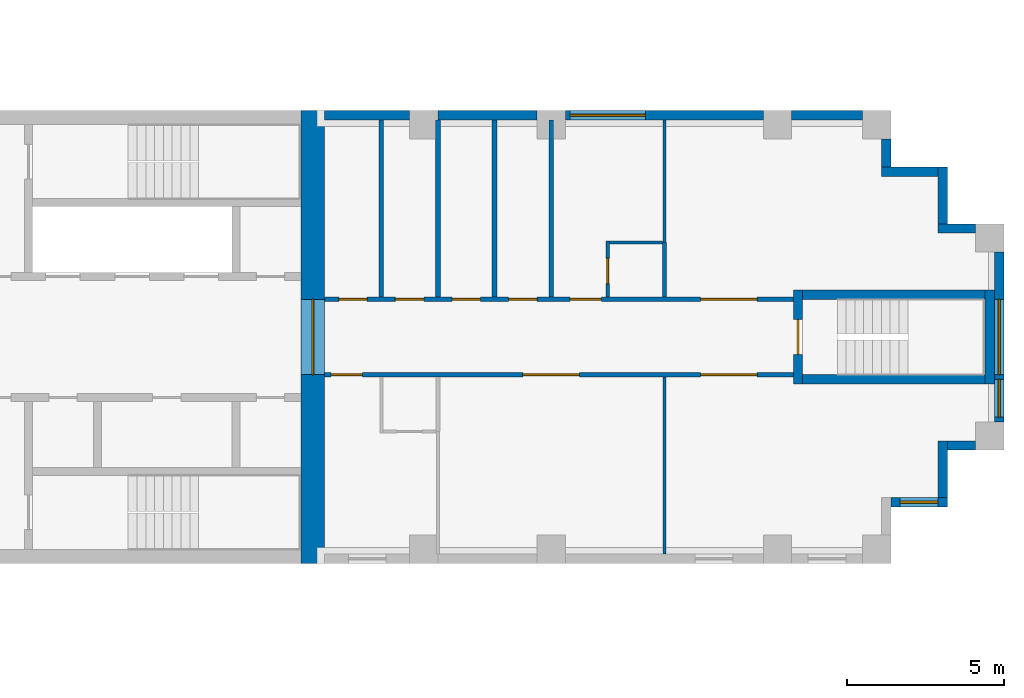
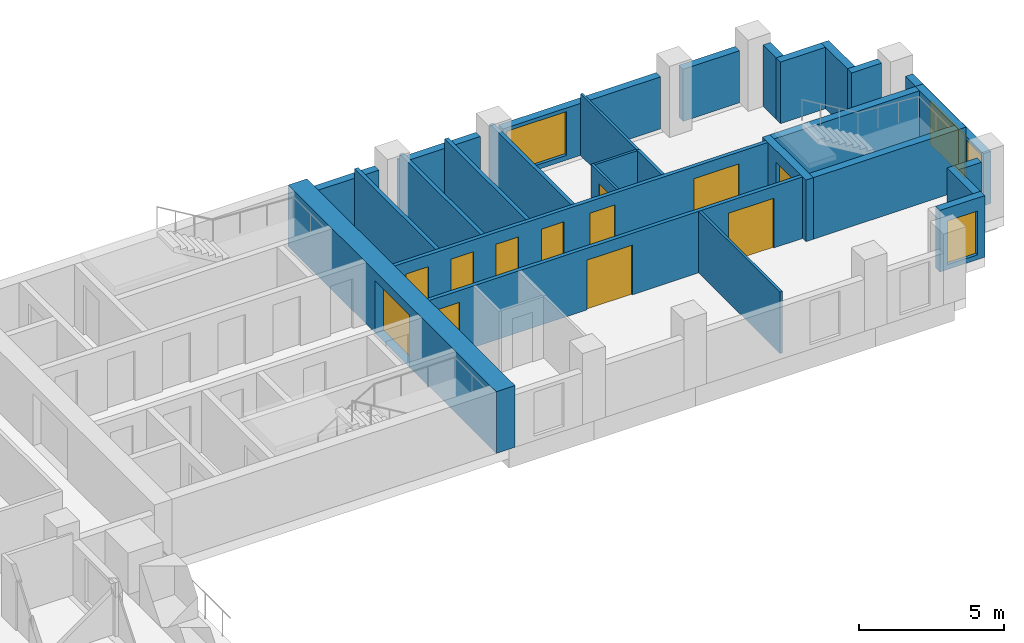
# One storey, part 9 of 12: 28 walls, 12 doors, 4 windows, 16 openings.
"""IFC4 building model written with IfcOpenShell, lengths in metres."""

from ifc_helpers import new_model, si_unit, direction, frame, frame_2d, origin, place, context, subcontext, project, spatial, rectangle, extrude, material, layer, layer_set, type_object, element, fill, save


model = new_model("IFC4")

# Units and contexts
model_context = context("Model", 3, precision=1e-05, world=origin(), true_north=direction((0.0, 1.0)))
body_context = subcontext(model_context, "Body", "Model", "MODEL_VIEW")
ifc_project = project(units=[si_unit("LENGTHUNIT", "METRE"), si_unit("AREAUNIT", "SQUARE_METRE"), si_unit("VOLUMEUNIT", "CUBIC_METRE"), si_unit("PLANEANGLEUNIT", "RADIAN"), si_unit("MASSUNIT", "GRAM", prefix="KILO")], contexts=[model_context])

# Site, building, storey
site_placement = place(None, origin())
site = spatial("IfcSite", under=ifc_project, at=site_placement, CompositionType="ELEMENT")
building_placement = place(site_placement, origin())
building = spatial("IfcBuilding", under=site, at=building_placement, Name="Fustian Cross Tower", CompositionType="ELEMENT")
storey_placement = place(building_placement, frame((0.0, 0.0, 147.300048828125)))
storey = spatial("IfcBuildingStorey", under=building, at=storey_placement, Name="L46", CompositionType="ELEMENT", Elevation=147.300048828125)

# Wall, openings, doors
ifc_material_1 = material(Name="Plasterboard on steel stud", Category="steel")
ifc_layer_1 = layer(ifc_material_1, 0.14990234375)
ifc_layer_set_1 = layer_set([ifc_layer_1], Name="Plasterboard on steel stud")
wall_type_1 = type_object("IfcWallType", Name="COMPARTMENT WALL 150 EI 60", PredefinedType="PARTITIONING", material=ifc_layer_set_1)
wall_1_placement = place(storey_placement, frame((21.60009765625, -1.199951171875, 0.0), z_axis=(0.0, 0.0, 1.0), x_axis=(1.0, 0.0, 0.0)))
wall_1 = element("IfcWall", 1, at=wall_1_placement, inside=storey, type_object=wall_type_1, Name="Partition 55", PredefinedType="PARTITIONING", context=body_context, shape_type="SweptSolid", body=[
    extrude(rectangle(XDim=14.89990234375, YDim=0.14990234375, at=frame_2d((7.449951171875, 0.0))), origin(), (0.0, 0.0, 1.0), 2.599853515625),
])
opening_1_placement = place(wall_1_placement, frame((0.199951171875, 0.0, 0.0)))
opening_1 = element("IfcOpeningElement", 2, at=opening_1_placement, cuts=wall_1, Name="Opening D21014", PredefinedType="OPENING", context=body_context, shape_type="SweptSolid", body=[
    extrude(rectangle(XDim=1.0, YDim=2.10009765625, at=frame_2d((0.5, 1.050048828125))), frame((0.0, 0.0849609375, 0.0), z_axis=(0.0, -1.0, 0.0), x_axis=(1.0, 0.0, 0.0)), (0.0, 0.0, 1.0), 0.169921875),
])
opening_2_placement = place(wall_1_placement, frame((6.300048828125, 0.0, 0.0)))
opening_2 = element("IfcOpeningElement", 3, at=opening_2_placement, cuts=wall_1, Name="Opening D21015", PredefinedType="OPENING", context=body_context, shape_type="SweptSolid", body=[
    extrude(rectangle(XDim=1.800048828125, YDim=2.10009765625, at=frame_2d((0.89990234375, 1.050048828125))), frame((0.0, 0.0849609375, 0.0), z_axis=(0.0, -1.0, 0.0), x_axis=(1.0, 0.0, 0.0)), (0.0, 0.0, 1.0), 0.169921875),
])
opening_3_placement = place(wall_1_placement, frame((11.949951171875, 0.0, 0.0)))
opening_3 = element("IfcOpeningElement", 4, at=opening_3_placement, cuts=wall_1, Name="Opening D21016", PredefinedType="OPENING", context=body_context, shape_type="SweptSolid", body=[
    extrude(rectangle(XDim=1.800048828125, YDim=2.10009765625, at=frame_2d((0.89990234375, 1.050048828125))), frame((0.0, 0.0849609375, 0.0), z_axis=(0.0, -1.0, 0.0), x_axis=(1.0, 0.0, 0.0)), (0.0, 0.0, 1.0), 0.169921875),
])
ifc_material_2 = material(Name="Timber fire door set", Category="wood")
door_type_1 = type_object("IfcDoorType", Name="FIRE DOUBLE DOOR 1800 FD30S", OperationType="DOUBLE_DOOR_DOUBLE_SWING", PredefinedType="DOOR", material=ifc_material_2)
door_1_placement = place(opening_2_placement, origin())
door_1 = element("IfcDoor", 5, at=door_1_placement, inside=storey, type_object=door_type_1, Name="Door D21015", OperationType="DOUBLE_DOOR_DOUBLE_SWING", OverallHeight=2.10009765625, OverallWidth=1.800048828125, PredefinedType="DOOR", context=body_context, shape_type="SweptSolid", body=[
    extrude(rectangle(XDim=1.800048828125, YDim=2.10009765625, at=frame_2d((0.89990234375, 1.050048828125))), frame((0.0, 0.02490234375, 0.0), z_axis=(0.0, -1.0, 0.0), x_axis=(1.0, 0.0, 0.0)), (0.0, 0.0, 1.0), 0.050048828125),
])
fill(opening_2, door_1)
door_2_placement = place(opening_3_placement, origin())
door_2 = element("IfcDoor", 6, at=door_2_placement, inside=storey, type_object=door_type_1, Name="Door D21016", OperationType="DOUBLE_DOOR_DOUBLE_SWING", OverallHeight=2.10009765625, OverallWidth=1.800048828125, PredefinedType="DOOR", context=body_context, shape_type="SweptSolid", body=[
    extrude(rectangle(XDim=1.800048828125, YDim=2.10009765625, at=frame_2d((0.89990234375, 1.050048828125))), frame((0.0, 0.02490234375, 0.0), z_axis=(0.0, -1.0, 0.0), x_axis=(1.0, 0.0, 0.0)), (0.0, 0.0, 1.0), 0.050048828125),
])
fill(opening_3, door_2)
ifc_material_3 = material(Name="Timber fire door set", Category="wood")
door_type_2 = type_object("IfcDoorType", Name="FIRE SWING DOOR 1000 FD30S", OperationType="SINGLE_SWING_LEFT", PredefinedType="DOOR", material=ifc_material_3)
door_3_placement = place(opening_1_placement, frame((1.0, 0.0, 0.0), z_axis=(0.0, 0.0, 1.0), x_axis=(-1.0, 0.0, 0.0)))
door_3 = element("IfcDoor", 7, at=door_3_placement, inside=storey, type_object=door_type_2, Name="Door D21014", OperationType="SINGLE_SWING_RIGHT", OverallHeight=2.10009765625, OverallWidth=1.0, PredefinedType="DOOR", context=body_context, shape_type="SweptSolid", body=[
    extrude(rectangle(XDim=1.0, YDim=2.10009765625, at=frame_2d((0.5, 1.050048828125))), frame((0.0, 0.02490234375, 0.0), z_axis=(0.0, -1.0, 0.0), x_axis=(1.0, 0.0, 0.0)), (0.0, 0.0, 1.0), 0.050048828125),
])
fill(opening_1, door_3)

wall_2_placement = place(storey_placement, frame((21.60009765625, 1.199951171875, 0.0), z_axis=(0.0, 0.0, 1.0), x_axis=(1.0, 0.0, 0.0)))
wall_2 = element("IfcWall", 8, at=wall_2_placement, inside=storey, type_object=wall_type_1, Name="Partition 56", PredefinedType="PARTITIONING", context=body_context, shape_type="SweptSolid", body=[
    extrude(rectangle(XDim=14.89990234375, YDim=0.14990234375, at=frame_2d((7.449951171875, 0.0))), origin(), (0.0, 0.0, 1.0), 2.599853515625),
])
opening_4_placement = place(wall_2_placement, frame((0.449951171875, 0.0, 0.0)))
opening_4 = element("IfcOpeningElement", 9, at=opening_4_placement, cuts=wall_2, Name="Opening D21006", PredefinedType="OPENING", context=body_context, shape_type="SweptSolid", body=[
    extrude(rectangle(XDim=0.89990234375, YDim=2.10009765625, at=frame_2d((0.449951171875, 1.050048828125))), frame((0.0, 0.0849609375, 0.0), z_axis=(0.0, -1.0, 0.0), x_axis=(1.0, 0.0, 0.0)), (0.0, 0.0, 1.0), 0.169921875),
])
opening_5_placement = place(wall_2_placement, frame((2.25, 0.0, 0.0)))
opening_5 = element("IfcOpeningElement", 10, at=opening_5_placement, cuts=wall_2, Name="Opening D21007", PredefinedType="OPENING", context=body_context, shape_type="SweptSolid", body=[
    extrude(rectangle(XDim=0.89990234375, YDim=2.10009765625, at=frame_2d((0.449951171875, 1.050048828125))), frame((0.0, 0.0849609375, 0.0), z_axis=(0.0, -1.0, 0.0), x_axis=(1.0, 0.0, 0.0)), (0.0, 0.0, 1.0), 0.169921875),
])
opening_6_placement = place(wall_2_placement, frame((4.050048828125, 0.0, 0.0)))
opening_6 = element("IfcOpeningElement", 11, at=opening_6_placement, cuts=wall_2, Name="Opening D21008", PredefinedType="OPENING", context=body_context, shape_type="SweptSolid", body=[
    extrude(rectangle(XDim=0.89990234375, YDim=2.10009765625, at=frame_2d((0.449951171875, 1.050048828125))), frame((0.0, 0.0849609375, 0.0), z_axis=(0.0, -1.0, 0.0), x_axis=(1.0, 0.0, 0.0)), (0.0, 0.0, 1.0), 0.169921875),
])
opening_7_placement = place(wall_2_placement, frame((5.85009765625, 0.0, 0.0)))
opening_7 = element("IfcOpeningElement", 12, at=opening_7_placement, cuts=wall_2, Name="Opening D21009", PredefinedType="OPENING", context=body_context, shape_type="SweptSolid", body=[
    extrude(rectangle(XDim=0.89990234375, YDim=2.10009765625, at=frame_2d((0.449951171875, 1.050048828125))), frame((0.0, 0.0849609375, 0.0), z_axis=(0.0, -1.0, 0.0), x_axis=(1.0, 0.0, 0.0)), (0.0, 0.0, 1.0), 0.169921875),
])
opening_8_placement = place(wall_2_placement, frame((7.800048828125, 0.0, 0.0)))
opening_8 = element("IfcOpeningElement", 13, at=opening_8_placement, cuts=wall_2, Name="Opening D21011", PredefinedType="OPENING", context=body_context, shape_type="SweptSolid", body=[
    extrude(rectangle(XDim=1.0, YDim=2.10009765625, at=frame_2d((0.5, 1.050048828125))), frame((0.0, 0.0849609375, 0.0), z_axis=(0.0, -1.0, 0.0), x_axis=(1.0, 0.0, 0.0)), (0.0, 0.0, 1.0), 0.169921875),
])
opening_9_placement = place(wall_2_placement, frame((11.949951171875, 0.0, 0.0)))
opening_9 = element("IfcOpeningElement", 14, at=opening_9_placement, cuts=wall_2, Name="Opening D21012", PredefinedType="OPENING", context=body_context, shape_type="SweptSolid", body=[
    extrude(rectangle(XDim=1.800048828125, YDim=2.10009765625, at=frame_2d((0.89990234375, 1.050048828125))), frame((0.0, 0.0849609375, 0.0), z_axis=(0.0, -1.0, 0.0), x_axis=(1.0, 0.0, 0.0)), (0.0, 0.0, 1.0), 0.169921875),
])
door_4_placement = place(opening_9_placement, frame((1.800048828125, 0.0, 0.0), z_axis=(0.0, 0.0, 1.0), x_axis=(-1.0, 0.0, 0.0)))
door_4 = element("IfcDoor", 15, at=door_4_placement, inside=storey, type_object=door_type_1, Name="Door D21012", OperationType="DOUBLE_DOOR_DOUBLE_SWING", OverallHeight=2.10009765625, OverallWidth=1.800048828125, PredefinedType="DOOR", context=body_context, shape_type="SweptSolid", body=[
    extrude(rectangle(XDim=1.800048828125, YDim=2.10009765625, at=frame_2d((0.89990234375, 1.050048828125))), frame((0.0, 0.02490234375, 0.0), z_axis=(0.0, -1.0, 0.0), x_axis=(1.0, 0.0, 0.0)), (0.0, 0.0, 1.0), 0.050048828125),
])
fill(opening_9, door_4)
door_5_placement = place(opening_8_placement, origin())
door_5 = element("IfcDoor", 16, at=door_5_placement, inside=storey, type_object=door_type_2, Name="Door D21011", OperationType="SINGLE_SWING_RIGHT", OverallHeight=2.10009765625, OverallWidth=1.0, PredefinedType="DOOR", context=body_context, shape_type="SweptSolid", body=[
    extrude(rectangle(XDim=1.0, YDim=2.10009765625, at=frame_2d((0.5, 1.050048828125))), frame((0.0, 0.02490234375, 0.0), z_axis=(0.0, -1.0, 0.0), x_axis=(1.0, 0.0, 0.0)), (0.0, 0.0, 1.0), 0.050048828125),
])
fill(opening_8, door_5)
ifc_material_4 = material(Name="Timber fire door set", Category="wood")
door_type_3 = type_object("IfcDoorType", Name="FIRE SWING DOOR 900 FD30S", OperationType="SINGLE_SWING_LEFT", PredefinedType="DOOR", material=ifc_material_4)
door_6_placement = place(opening_4_placement, origin())
door_6 = element("IfcDoor", 17, at=door_6_placement, inside=storey, type_object=door_type_3, Name="Door D21006", OperationType="SINGLE_SWING_RIGHT", OverallHeight=2.10009765625, OverallWidth=0.89990234375, PredefinedType="DOOR", context=body_context, shape_type="SweptSolid", body=[
    extrude(rectangle(XDim=0.89990234375, YDim=2.10009765625, at=frame_2d((0.449951171875, 1.050048828125))), frame((0.0, 0.02490234375, 0.0), z_axis=(0.0, -1.0, 0.0), x_axis=(1.0, 0.0, 0.0)), (0.0, 0.0, 1.0), 0.050048828125),
])
fill(opening_4, door_6)
door_7_placement = place(opening_5_placement, frame((0.89990234375, 0.0, 0.0), z_axis=(0.0, 0.0, 1.0), x_axis=(-1.0, 0.0, 0.0)))
door_7 = element("IfcDoor", 18, at=door_7_placement, inside=storey, type_object=door_type_3, Name="Door D21007", OperationType="SINGLE_SWING_RIGHT", OverallHeight=2.10009765625, OverallWidth=0.89990234375, PredefinedType="DOOR", context=body_context, shape_type="SweptSolid", body=[
    extrude(rectangle(XDim=0.89990234375, YDim=2.10009765625, at=frame_2d((0.449951171875, 1.050048828125))), frame((0.0, 0.02490234375, 0.0), z_axis=(0.0, -1.0, 0.0), x_axis=(1.0, 0.0, 0.0)), (0.0, 0.0, 1.0), 0.050048828125),
])
fill(opening_5, door_7)
door_8_placement = place(opening_6_placement, frame((0.89990234375, 0.0, 0.0), z_axis=(0.0, 0.0, 1.0), x_axis=(-1.0, 0.0, 0.0)))
door_8 = element("IfcDoor", 19, at=door_8_placement, inside=storey, type_object=door_type_3, Name="Door D21008", OperationType="SINGLE_SWING_RIGHT", OverallHeight=2.10009765625, OverallWidth=0.89990234375, PredefinedType="DOOR", context=body_context, shape_type="SweptSolid", body=[
    extrude(rectangle(XDim=0.89990234375, YDim=2.10009765625, at=frame_2d((0.449951171875, 1.050048828125))), frame((0.0, 0.02490234375, 0.0), z_axis=(0.0, -1.0, 0.0), x_axis=(1.0, 0.0, 0.0)), (0.0, 0.0, 1.0), 0.050048828125),
])
fill(opening_6, door_8)
door_9_placement = place(opening_7_placement, origin())
door_9 = element("IfcDoor", 20, at=door_9_placement, inside=storey, type_object=door_type_3, Name="Door D21009", OperationType="SINGLE_SWING_RIGHT", OverallHeight=2.10009765625, OverallWidth=0.89990234375, PredefinedType="DOOR", context=body_context, shape_type="SweptSolid", body=[
    extrude(rectangle(XDim=0.89990234375, YDim=2.10009765625, at=frame_2d((0.449951171875, 1.050048828125))), frame((0.0, 0.02490234375, 0.0), z_axis=(0.0, -1.0, 0.0), x_axis=(1.0, 0.0, 0.0)), (0.0, 0.0, 1.0), 0.050048828125),
])
fill(opening_7, door_9)

# Walls
for number, where, z_axis, x_axis, name in (
    (21, (23.39990234375, 1.27490234375, 0.0), (0.0, 0.0, 1.0), (0.0, 1.0, 0.0), "Partition 59"),
    (22, (25.199951171875, 1.27490234375, 0.0), (0.0, 0.0, 1.0), (0.0, 1.0, 0.0), "Partition 62"),
    (23, (27.0, 1.27490234375, 0.0), (0.0, 0.0, 1.0), (0.0, 1.0, 0.0), "Partition 63"),
    (24, (28.800048828125, 1.27490234375, 0.0), (0.0, 0.0, 1.0), (0.0, 1.0, 0.0), "Partition 64"),
):
    element("IfcWall", number, at=place(storey_placement, frame(where, z_axis=z_axis, x_axis=x_axis)), inside=storey, type_object=wall_type_1, Name=name, PredefinedType="PARTITIONING", context=body_context, shape_type="SweptSolid", body=[
        extrude(rectangle(XDim=5.625, YDim=0.14990234375, at=frame_2d((2.8125, 0.0))), origin(), (0.0, 0.0, 1.0), 2.599853515625),
    ])

# Wall, opening, door
ifc_material_5 = material(Name="Concrete C60/75", Category="concrete")
ifc_layer_2 = layer(ifc_material_5, 0.75)
ifc_layer_set_2 = layer_set([ifc_layer_2], Name="Concrete C60/75")
wall_type_2 = type_object("IfcWallType", Name="CORE END WALL 750 C60/75", PredefinedType="SHEAR", material=ifc_layer_set_2)
wall_3_placement = place(storey_placement, frame((21.22509765625, -7.199951171875, 0.0), z_axis=(0.0, 0.0, 1.0), x_axis=(0.0, 1.0, 0.0)))
wall_3 = element("IfcWall", 25, at=wall_3_placement, inside=storey, type_object=wall_type_2, Name="Core end wall", PredefinedType="SHEAR", context=body_context, shape_type="SweptSolid", body=[
    extrude(rectangle(XDim=14.39990234375, YDim=0.75, at=frame_2d((7.199951171875, 0.0))), origin(), (0.0, 0.0, 1.0), 2.599853515625),
])
opening_10_placement = place(wall_3_placement, frame((6.0, 0.0, 0.0)))
opening_10 = element("IfcOpeningElement", 26, at=opening_10_placement, cuts=wall_3, Name="Opening CD-16-13", PredefinedType="OPENING", context=body_context, shape_type="SweptSolid", body=[
    extrude(rectangle(XDim=2.39990234375, YDim=2.199951171875, at=frame_2d((1.199951171875, 1.10009765625))), frame((0.0, 0.385009765625, 0.0), z_axis=(0.0, -1.0, 0.0), x_axis=(1.0, 0.0, 0.0)), (0.0, 0.0, 1.0), 0.77001953125),
])
ifc_material_6 = material(Name="Steel", Category="steel")
door_type_4 = type_object("IfcDoorType", Name="FIRE DOOR FD30S DOUBLE 2400X2200", OperationType="DOUBLE_DOOR_DOUBLE_SWING", PredefinedType="DOOR", material=ifc_material_6)
door_10_placement = place(opening_10_placement, origin())
door_10 = element("IfcDoor", 27, at=door_10_placement, inside=storey, type_object=door_type_4, Name="Core door CD-16-13", OperationType="DOUBLE_DOOR_DOUBLE_SWING", OverallHeight=2.199951171875, OverallWidth=2.39990234375, PredefinedType="DOOR", context=body_context, shape_type="SweptSolid", body=[
    extrude(rectangle(XDim=2.39990234375, YDim=2.199951171875, at=frame_2d((1.199951171875, 1.10009765625))), frame((0.0, 0.02490234375, 0.0), z_axis=(0.0, -1.0, 0.0), x_axis=(1.0, 0.0, 0.0)), (0.0, 0.0, 1.0), 0.050048828125),
])
fill(opening_10, door_10)

ifc_material_7 = material(Name="Plasterboard on steel stud", Category="steel")
ifc_layer_3 = layer(ifc_material_7, 0.10009765625)
ifc_layer_set_3 = layer_set([ifc_layer_3], Name="Plasterboard on steel stud")
wall_type_3 = type_object("IfcWallType", Name="PARTITION 100 STUD", PredefinedType="PARTITIONING", material=ifc_layer_set_3)
wall_4_placement = place(storey_placement, frame((30.60009765625, 1.27490234375, 0.0), z_axis=(0.0, 0.0, 1.0), x_axis=(0.0, 1.0, 0.0)))
wall_4 = element("IfcWall", 28, at=wall_4_placement, inside=storey, type_object=wall_type_3, Name="Partition 65", PredefinedType="PARTITIONING", context=body_context, shape_type="SweptSolid", body=[
    extrude(rectangle(XDim=1.775146484375, YDim=0.10009765625, at=frame_2d((0.8876953125, 0.0))), origin(), (0.0, 0.0, 1.0), 2.599853515625),
])
opening_11_placement = place(wall_4_placement, frame((0.425048828125, 0.0, 0.0)))
opening_11 = element("IfcOpeningElement", 29, at=opening_11_placement, cuts=wall_4, Name="Opening D21010", PredefinedType="OPENING", context=body_context, shape_type="SweptSolid", body=[
    extrude(rectangle(XDim=0.800048828125, YDim=2.10009765625, at=frame_2d((0.39990234375, 1.050048828125))), frame((0.0, 0.06005859375, 0.0), z_axis=(0.0, -1.0, 0.0), x_axis=(1.0, 0.0, 0.0)), (0.0, 0.0, 1.0), 0.1201171875),
])
ifc_material_8 = material(Name="Painted timber", Category="wood")
door_type_5 = type_object("IfcDoorType", Name="SWING DOOR 800", OperationType="SINGLE_SWING_LEFT", PredefinedType="DOOR", material=ifc_material_8)
door_11_placement = place(opening_11_placement, frame((0.800048828125, 0.0, 0.0), z_axis=(0.0, 0.0, 1.0), x_axis=(-1.0, 0.0, 0.0)))
door_11 = element("IfcDoor", 30, at=door_11_placement, inside=storey, type_object=door_type_5, Name="Door D21010", OperationType="SINGLE_SWING_LEFT", OverallHeight=2.10009765625, OverallWidth=0.800048828125, PredefinedType="DOOR", context=body_context, shape_type="SweptSolid", body=[
    extrude(rectangle(XDim=0.800048828125, YDim=2.10009765625, at=frame_2d((0.39990234375, 1.050048828125))), frame((0.0, 0.02490234375, 0.0), z_axis=(0.0, -1.0, 0.0), x_axis=(1.0, 0.0, 0.0)), (0.0, 0.0, 1.0), 0.050048828125),
])
fill(opening_11, door_11)

# Walls
wall_5_placement = place(storey_placement, frame((30.64990234375, 3.0, 0.0), z_axis=(0.0, 0.0, 1.0), x_axis=(1.0, 0.0, 0.0)))
element("IfcWall", 31, at=wall_5_placement, inside=storey, type_object=wall_type_3, Name="Partition 66", PredefinedType="PARTITIONING", context=body_context, shape_type="SweptSolid", body=[
    extrude(rectangle(XDim=1.6875, YDim=0.10009765625, at=frame_2d((0.84375, 0.0))), origin(), (0.0, 0.0, 1.0), 2.599853515625),
])
wall_6_placement = place(storey_placement, frame((32.39990234375, -6.89990234375, 0.0), z_axis=(0.0, 0.0, 1.0), x_axis=(0.0, 1.0, 0.0)))
element("IfcWall", 32, at=wall_6_placement, inside=storey, type_object=wall_type_3, Name="Partition 67", PredefinedType="PARTITIONING", context=body_context, shape_type="SweptSolid", body=[
    extrude(rectangle(XDim=5.625, YDim=0.10009765625, at=frame_2d((2.8125, 0.0))), origin(), (0.0, 0.0, 1.0), 2.599853515625),
])
wall_7_placement = place(storey_placement, frame((32.39990234375, 3.0, 0.0), z_axis=(0.0, 0.0, 1.0), x_axis=(0.0, 1.0, 0.0)))
element("IfcWall", 33, at=wall_7_placement, inside=storey, type_object=wall_type_3, Name="Partition 69", PredefinedType="PARTITIONING", context=body_context, shape_type="SweptSolid", body=[
    extrude(rectangle(XDim=3.89990234375, YDim=0.10009765625, at=frame_2d((1.949951171875, 0.0))), origin(), (0.0, 0.0, 1.0), 2.599853515625),
])

# Wall, opening, door
ifc_material_9 = material(Name="Concrete C50/60", Category="concrete")
ifc_layer_4 = layer(ifc_material_9, 0.300048828125)
ifc_layer_set_4 = layer_set([ifc_layer_4], Name="Concrete C50/60")
wall_type_4 = type_object("IfcWallType", Name="STAIR ENCLOSURE WALL 300 C50/60", PredefinedType="SHEAR", material=ifc_layer_set_4)
wall_8_placement = place(storey_placement, frame((36.64990234375, -1.5, 0.0), z_axis=(0.0, 0.0, 1.0), x_axis=(0.0, 1.0, 0.0)))
wall_8 = element("IfcWall", 34, at=wall_8_placement, inside=storey, type_object=wall_type_4, Name="Stair enclosure wall", PredefinedType="SHEAR", context=body_context, shape_type="SweptSolid", body=[
    extrude(rectangle(XDim=3.0, YDim=0.300048828125, at=frame_2d((1.5, 0.0))), origin(), (0.0, 0.0, 1.0), 2.599853515625),
])
opening_12_placement = place(wall_8_placement, frame((0.949951171875, 0.0, 0.0)))
opening_12 = element("IfcOpeningElement", 35, at=opening_12_placement, cuts=wall_8, Name="Opening CD-16-35", PredefinedType="OPENING", context=body_context, shape_type="SweptSolid", body=[
    extrude(rectangle(XDim=1.10009765625, YDim=2.10009765625, at=frame_2d((0.550048828125, 1.050048828125))), frame((0.0, 0.159912109375, 0.0), z_axis=(0.0, -1.0, 0.0), x_axis=(1.0, 0.0, 0.0)), (0.0, 0.0, 1.0), 0.320068359375),
])
ifc_material_10 = material(Name="Steel", Category="steel")
door_type_6 = type_object("IfcDoorType", Name="FIRE DOOR FD60S 1100X2100", OperationType="SINGLE_SWING_LEFT", PredefinedType="DOOR", material=ifc_material_10)
door_12_placement = place(opening_12_placement, frame((1.10009765625, 0.0, 0.0), z_axis=(0.0, 0.0, 1.0), x_axis=(-1.0, 0.0, 0.0)))
door_12 = element("IfcDoor", 36, at=door_12_placement, inside=storey, type_object=door_type_6, Name="Core door CD-16-35", OperationType="SINGLE_SWING_RIGHT", OverallHeight=2.10009765625, OverallWidth=1.10009765625, PredefinedType="DOOR", context=body_context, shape_type="SweptSolid", body=[
    extrude(rectangle(XDim=1.10009765625, YDim=2.10009765625, at=frame_2d((0.550048828125, 1.050048828125))), frame((0.0, 0.02490234375, 0.0), z_axis=(0.0, -1.0, 0.0), x_axis=(1.0, 0.0, 0.0)), (0.0, 0.0, 1.0), 0.050048828125),
])
fill(opening_12, door_12)

# Walls
wall_9_placement = place(storey_placement, frame((42.75, -1.5, 0.0), z_axis=(0.0, 0.0, 1.0), x_axis=(0.0, 1.0, 0.0)))
element("IfcWall", 37, at=wall_9_placement, inside=storey, type_object=wall_type_4, Name="Stair enclosure wall", PredefinedType="SHEAR", context=body_context, shape_type="SweptSolid", body=[
    extrude(rectangle(XDim=3.0, YDim=0.300048828125, at=frame_2d((1.5, 0.0))), origin(), (0.0, 0.0, 1.0), 2.599853515625),
])
for number, where, z_axis, x_axis, name in (
    (38, (36.800048828125, -1.35009765625, 0.0), (0.0, 0.0, 1.0), (1.0, 0.0, 0.0), "Stair enclosure wall"),
    (39, (36.800048828125, 1.35009765625, 0.0), (0.0, 0.0, 1.0), (1.0, 0.0, 0.0), "Stair enclosure wall"),
):
    element("IfcWall", number, at=place(storey_placement, frame(where, z_axis=z_axis, x_axis=x_axis)), inside=storey, type_object=wall_type_4, Name=name, PredefinedType="SHEAR", context=body_context, shape_type="SweptSolid", body=[
        extrude(rectangle(XDim=5.800048828125, YDim=0.300048828125, at=frame_2d((2.89990234375, 0.0))), origin(), (0.0, 0.0, 1.0), 2.599853515625),
    ])
ifc_material_11 = material(Name="Plasterboard on steel stud", Category="steel")
ifc_layer_5 = layer(ifc_material_11, 0.125)
ifc_layer_set_5 = layer_set([ifc_layer_5], Name="Plasterboard on steel stud")
wall_type_5 = type_object("IfcWallType", Name="WET WALL 125 STUD", PredefinedType="PARTITIONING", material=ifc_layer_set_5)
wall_10_placement = place(storey_placement, frame((32.39990234375, 1.27490234375, 0.0), z_axis=(0.0, 0.0, 1.0), x_axis=(0.0, 1.0, 0.0)))
element("IfcWall", 40, at=wall_10_placement, inside=storey, type_object=wall_type_5, Name="Partition 68", PredefinedType="PARTITIONING", context=body_context, shape_type="SweptSolid", body=[
    extrude(rectangle(XDim=1.72509765625, YDim=0.125, at=frame_2d((0.862548828125, 0.0))), origin(), (0.0, 0.0, 1.0), 2.599853515625),
])

# Wall, opening, window
ifc_material_12 = material(Name="Dark aluminium cladding on insulated backing wall", Category="aluminium")
ifc_layer_6 = layer(ifc_material_12, 0.300048828125)
ifc_layer_set_6 = layer_set([ifc_layer_6], Name="Dark aluminium cladding on insulated backing wall")
wall_type_6 = type_object("IfcWallType", Name="XW1 EXTERNAL WALL 300", PredefinedType="SOLIDWALL", material=ifc_layer_set_6)
wall_11_placement = place(storey_placement, frame((39.60009765625, -5.25, 0.0), z_axis=(0.0, 0.0, 1.0), x_axis=(1.0, 0.0, 0.0)))
wall_11 = element("IfcWall", 41, at=wall_11_placement, inside=storey, type_object=wall_type_6, Name="External wall", PredefinedType="SOLIDWALL", context=body_context, shape_type="SweptSolid", body=[
    extrude(rectangle(XDim=1.7998046875, YDim=0.300048828125, at=frame_2d((0.89990234375, 0.0))), origin(), (0.0, 0.0, 1.0), 2.599853515625),
])
opening_13_placement = place(wall_11_placement, frame((0.300048828125, 0.0, 0.199951171875)))
opening_13 = element("IfcOpeningElement", 42, at=opening_13_placement, cuts=wall_11, Name="Opening WN3", PredefinedType="OPENING", context=body_context, shape_type="SweptSolid", body=[
    extrude(rectangle(XDim=1.199951171875, YDim=1.85009765625, at=frame_2d((0.60009765625, 0.925048828125))), frame((0.0, 0.159912109375, 0.0), z_axis=(0.0, -1.0, 0.0), x_axis=(1.0, 0.0, 0.0)), (0.0, 0.0, 1.0), 0.320068359375),
])
ifc_material_13 = material(Name="Dark anodised aluminium and double glazing", Category="aluminium")
window_type_1 = type_object("IfcWindowType", Name="WN3 WINDOW 1200X1850", PartitioningType="SINGLE_PANEL", PredefinedType="WINDOW", material=ifc_material_13)
window_1_placement = place(opening_13_placement, origin())
window_1 = element("IfcWindow", 43, at=window_1_placement, inside=storey, type_object=window_type_1, Name="Window", OverallHeight=1.85009765625, OverallWidth=1.199951171875, PartitioningType="SINGLE_PANEL", PredefinedType="WINDOW", context=body_context, shape_type="SweptSolid", body=[
    extrude(rectangle(XDim=1.199951171875, YDim=1.85009765625, at=frame_2d((0.60009765625, 0.925048828125))), frame((0.0, 0.030029296875, 0.0), z_axis=(0.0, -1.0, 0.0), x_axis=(1.0, 0.0, 0.0)), (0.0, 0.0, 1.0), 0.06005859375),
])
fill(opening_13, window_1)

# Walls
wall_12_placement = place(storey_placement, frame((41.25, -5.10009765625, 0.0), z_axis=(0.0, 0.0, 1.0), x_axis=(0.0, 1.0, 0.0)))
element("IfcWall", 44, at=wall_12_placement, inside=storey, type_object=wall_type_6, Name="External wall", PredefinedType="SOLIDWALL", context=body_context, shape_type="SweptSolid", body=[
    extrude(rectangle(XDim=1.800048828125, YDim=0.300048828125, at=frame_2d((0.89990234375, 0.0))), origin(), (0.0, 0.0, 1.0), 2.599853515625),
])
wall_13_placement = place(storey_placement, frame((41.39990234375, -3.449951171875, 0.0), z_axis=(0.0, 0.0, 1.0), x_axis=(1.0, 0.0, 0.0)))
element("IfcWall", 45, at=wall_13_placement, inside=storey, type_object=wall_type_6, Name="External wall", PredefinedType="SOLIDWALL", context=body_context, shape_type="SweptSolid", body=[
    extrude(rectangle(XDim=0.900146484375, YDim=0.300048828125, at=frame_2d((0.4501953125, 0.0))), origin(), (0.0, 0.0, 1.0), 2.599853515625),
])

# Wall, openings, windows
wall_14_placement = place(storey_placement, frame((43.050048828125, -2.699951171875, 0.0), z_axis=(0.0, 0.0, 1.0), x_axis=(0.0, 1.0, 0.0)))
wall_14 = element("IfcWall", 46, at=wall_14_placement, inside=storey, type_object=wall_type_6, Name="External wall", PredefinedType="SOLIDWALL", context=body_context, shape_type="SweptSolid", body=[
    extrude(rectangle(XDim=5.39990234375, YDim=0.300048828125, at=frame_2d((2.699951171875, 0.0))), origin(), (0.0, 0.0, 1.0), 2.199951171875),
])
opening_14_placement = place(wall_14_placement, frame((1.5, 0.0, 0.199951171875)))
opening_14 = element("IfcOpeningElement", 47, at=opening_14_placement, cuts=wall_14, Name="Opening WN1", PredefinedType="OPENING", context=body_context, shape_type="SweptSolid", body=[
    extrude(rectangle(XDim=2.39990234375, YDim=1.85009765625, at=frame_2d((1.199951171875, 0.925048828125))), frame((0.0, 0.159912109375, 0.0), z_axis=(0.0, -1.0, 0.0), x_axis=(1.0, 0.0, 0.0)), (0.0, 0.0, 1.0), 0.320068359375),
])
opening_15_placement = place(wall_14_placement, frame((0.14990234375, 0.0, 0.199951171875)))
opening_15 = element("IfcOpeningElement", 48, at=opening_15_placement, cuts=wall_14, Name="Opening WN3", PredefinedType="OPENING", context=body_context, shape_type="SweptSolid", body=[
    extrude(rectangle(XDim=1.199951171875, YDim=1.85009765625, at=frame_2d((0.60009765625, 0.925048828125))), frame((0.0, 0.159912109375, 0.0), z_axis=(0.0, -1.0, 0.0), x_axis=(1.0, 0.0, 0.0)), (0.0, 0.0, 1.0), 0.320068359375),
])
ifc_material_14 = material(Name="Dark anodised aluminium and double glazing", Category="aluminium")
window_type_2 = type_object("IfcWindowType", Name="WN1 WINDOW 2400X1850", PartitioningType="SINGLE_PANEL", PredefinedType="WINDOW", material=ifc_material_14)
window_2_placement = place(opening_14_placement, origin())
window_2 = element("IfcWindow", 49, at=window_2_placement, inside=storey, type_object=window_type_2, Name="Window", OverallHeight=1.85009765625, OverallWidth=2.39990234375, PartitioningType="SINGLE_PANEL", PredefinedType="WINDOW", context=body_context, shape_type="SweptSolid", body=[
    extrude(rectangle(XDim=2.39990234375, YDim=1.85009765625, at=frame_2d((1.199951171875, 0.925048828125))), frame((0.0, 0.030029296875, 0.0), z_axis=(0.0, -1.0, 0.0), x_axis=(1.0, 0.0, 0.0)), (0.0, 0.0, 1.0), 0.06005859375),
])
fill(opening_14, window_2)
window_3_placement = place(opening_15_placement, origin())
window_3 = element("IfcWindow", 50, at=window_3_placement, inside=storey, type_object=window_type_1, Name="Window", OverallHeight=1.85009765625, OverallWidth=1.199951171875, PartitioningType="SINGLE_PANEL", PredefinedType="WINDOW", context=body_context, shape_type="SweptSolid", body=[
    extrude(rectangle(XDim=1.199951171875, YDim=1.85009765625, at=frame_2d((0.60009765625, 0.925048828125))), frame((0.0, 0.030029296875, 0.0), z_axis=(0.0, -1.0, 0.0), x_axis=(1.0, 0.0, 0.0)), (0.0, 0.0, 1.0), 0.06005859375),
])
fill(opening_15, window_3)

# Walls
wall_15_placement = place(storey_placement, frame((42.300048828125, 3.449951171875, 0.0), z_axis=(0.0, 0.0, 1.0), x_axis=(-1.0, 0.0, 0.0)))
element("IfcWall", 51, at=wall_15_placement, inside=storey, type_object=wall_type_6, Name="External wall", PredefinedType="SOLIDWALL", context=body_context, shape_type="SweptSolid", body=[
    extrude(rectangle(XDim=1.199951171875, YDim=0.300048828125, at=frame_2d((0.60009765625, 0.0))), origin(), (0.0, 0.0, 1.0), 2.599853515625),
])
wall_16_placement = place(storey_placement, frame((41.25, 3.60009765625, 0.0), z_axis=(0.0, 0.0, 1.0), x_axis=(0.0, 1.0, 0.0)))
element("IfcWall", 52, at=wall_16_placement, inside=storey, type_object=wall_type_6, Name="External wall", PredefinedType="SOLIDWALL", context=body_context, shape_type="SweptSolid", body=[
    extrude(rectangle(XDim=1.7998046875, YDim=0.300048828125, at=frame_2d((0.89990234375, 0.0))), origin(), (0.0, 0.0, 1.0), 2.599853515625),
])
wall_17_placement = place(storey_placement, frame((41.10009765625, 5.25, 0.0), z_axis=(0.0, 0.0, 1.0), x_axis=(-1.0, 0.0, 0.0)))
element("IfcWall", 53, at=wall_17_placement, inside=storey, type_object=wall_type_6, Name="External wall", PredefinedType="SOLIDWALL", context=body_context, shape_type="SweptSolid", body=[
    extrude(rectangle(XDim=1.800048828125, YDim=0.300048828125, at=frame_2d((0.89990234375, 0.0))), origin(), (0.0, 0.0, 1.0), 2.599853515625),
])
wall_18_placement = place(storey_placement, frame((39.449951171875, 5.39990234375, 0.0), z_axis=(0.0, 0.0, 1.0), x_axis=(0.0, 1.0, 0.0)))
element("IfcWall", 54, at=wall_18_placement, inside=storey, type_object=wall_type_6, Name="External wall", PredefinedType="SOLIDWALL", context=body_context, shape_type="SweptSolid", body=[
    extrude(rectangle(XDim=0.900146484375, YDim=0.300048828125, at=frame_2d((0.4501953125, 0.0))), origin(), (0.0, 0.0, 1.0), 2.599853515625),
])
wall_19_placement = place(storey_placement, frame((38.699951171875, 7.050048828125, 0.0), z_axis=(0.0, 0.0, 1.0), x_axis=(-1.0, 0.0, 0.0)))
element("IfcWall", 55, at=wall_19_placement, inside=storey, type_object=wall_type_6, Name="External wall", PredefinedType="SOLIDWALL", context=body_context, shape_type="SweptSolid", body=[
    extrude(rectangle(XDim=2.25, YDim=0.300048828125, at=frame_2d((1.125, 0.0))), origin(), (0.0, 0.0, 1.0), 2.199951171875),
])

# Wall, opening, window
wall_20_placement = place(storey_placement, frame((35.550048828125, 7.050048828125, 0.0), z_axis=(0.0, 0.0, 1.0), x_axis=(-1.0, 0.0, 0.0)))
wall_20 = element("IfcWall", 56, at=wall_20_placement, inside=storey, type_object=wall_type_6, Name="External wall", PredefinedType="SOLIDWALL", context=body_context, shape_type="SweptSolid", body=[
    extrude(rectangle(XDim=6.300048828125, YDim=0.300048828125, at=frame_2d((3.14990234375, 0.0))), origin(), (0.0, 0.0, 1.0), 2.199951171875),
])
opening_16_placement = place(wall_20_placement, frame((3.75, 0.0, 0.199951171875)))
opening_16 = element("IfcOpeningElement", 57, at=opening_16_placement, cuts=wall_20, Name="Opening WN1", PredefinedType="OPENING", context=body_context, shape_type="SweptSolid", body=[
    extrude(rectangle(XDim=2.39990234375, YDim=1.85009765625, at=frame_2d((1.199951171875, 0.925048828125))), frame((0.0, 0.159912109375, 0.0), z_axis=(0.0, -1.0, 0.0), x_axis=(1.0, 0.0, 0.0)), (0.0, 0.0, 1.0), 0.320068359375),
])
window_4_placement = place(opening_16_placement, origin())
window_4 = element("IfcWindow", 58, at=window_4_placement, inside=storey, type_object=window_type_2, Name="Window", OverallHeight=1.85009765625, OverallWidth=2.39990234375, PartitioningType="SINGLE_PANEL", PredefinedType="WINDOW", context=body_context, shape_type="SweptSolid", body=[
    extrude(rectangle(XDim=2.39990234375, YDim=1.85009765625, at=frame_2d((1.199951171875, 0.925048828125))), frame((0.0, 0.030029296875, 0.0), z_axis=(0.0, -1.0, 0.0), x_axis=(1.0, 0.0, 0.0)), (0.0, 0.0, 1.0), 0.06005859375),
])
fill(opening_16, window_4)

# Walls
wall_21_placement = place(storey_placement, frame((28.35009765625, 7.050048828125, 0.0), z_axis=(0.0, 0.0, 1.0), x_axis=(-1.0, 0.0, 0.0)))
element("IfcWall", 59, at=wall_21_placement, inside=storey, type_object=wall_type_6, Name="External wall", PredefinedType="SOLIDWALL", context=body_context, shape_type="SweptSolid", body=[
    extrude(rectangle(XDim=3.150146484375, YDim=0.300048828125, at=frame_2d((1.5751953125, 0.0))), origin(), (0.0, 0.0, 1.0), 2.199951171875),
])
wall_22_placement = place(storey_placement, frame((24.300048828125, 7.050048828125, 0.0), z_axis=(0.0, 0.0, 1.0), x_axis=(-1.0, 0.0, 0.0)))
element("IfcWall", 60, at=wall_22_placement, inside=storey, type_object=wall_type_6, Name="External wall", PredefinedType="SOLIDWALL", context=body_context, shape_type="SweptSolid", body=[
    extrude(rectangle(XDim=2.699951171875, YDim=0.300048828125, at=frame_2d((1.35009765625, 0.0))), origin(), (0.0, 0.0, 1.0), 2.199951171875),
])

save(model, "model.ifc")
